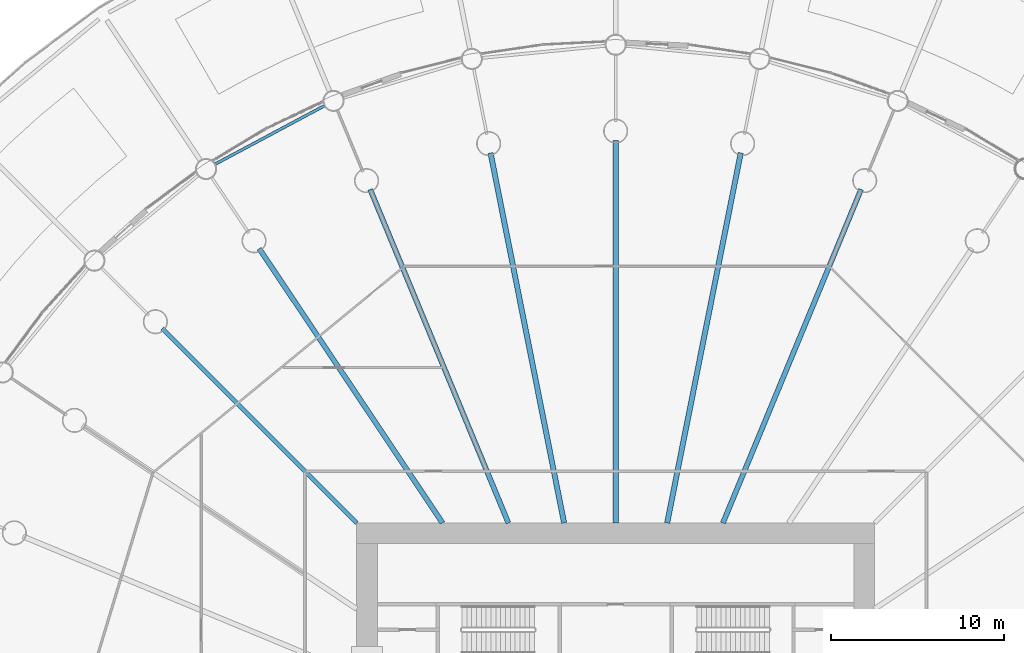
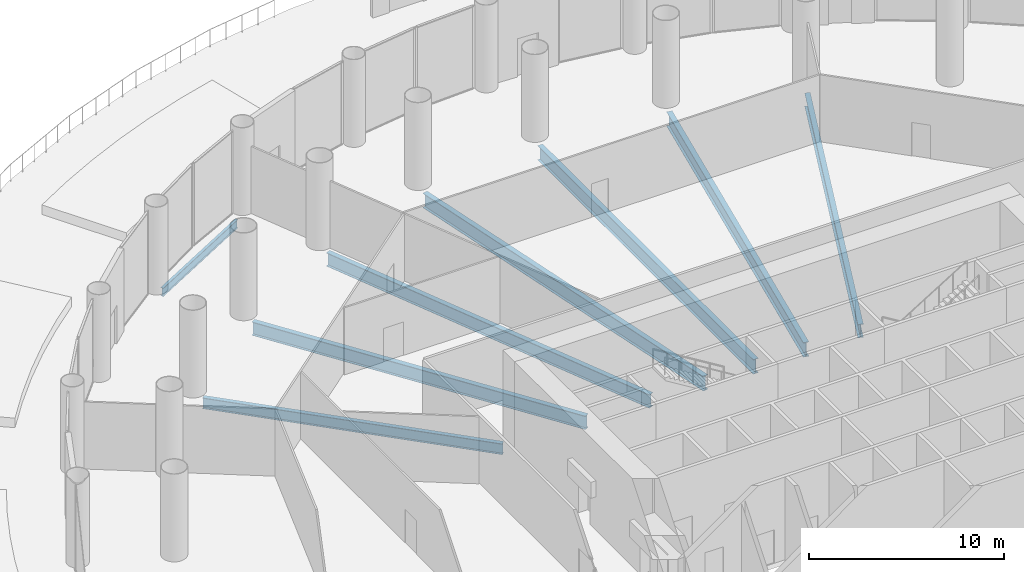
# One storey, part 20 of 36: 8 beams.
"""IFC4 building model written with IfcOpenShell, lengths in metres."""

from ifc_helpers import new_model, si_unit, direction, frame, origin, origin_2d, place, context, subcontext, project, spatial, i_section, extrude, material, material_profile, profile_set, type_object, element, save


model = new_model("IFC4")

# Units and contexts
model_context = context("Model", 3, precision=1e-05, world=origin(), true_north=direction((0.0, 1.0)))
body_context = subcontext(model_context, "Body", "Model", "MODEL_VIEW")
ifc_project = project(units=[si_unit("LENGTHUNIT", "METRE"), si_unit("AREAUNIT", "SQUARE_METRE"), si_unit("VOLUMEUNIT", "CUBIC_METRE"), si_unit("PLANEANGLEUNIT", "RADIAN"), si_unit("MASSUNIT", "GRAM", prefix="KILO")], contexts=[model_context])

# Site, building, storey
site_placement = place(None, origin())
site = spatial("IfcSite", under=ifc_project, at=site_placement, CompositionType="ELEMENT")
building_placement = place(site_placement, origin())
building = spatial("IfcBuilding", under=site, at=building_placement, Name="Corvane Civic Tower", CompositionType="ELEMENT")
storey_placement = place(building_placement, frame((0.0, 0.0, 6.0)))
storey = spatial("IfcBuildingStorey", under=building, at=storey_placement, Name="L01", CompositionType="ELEMENT", Elevation=6.0)

# Beams
ifc_material_1 = material(Name="Steel ASTM A992 Gr 50", Category="steel")
ifc_material_profile_1 = material_profile(ifc_material_1, i_section(OverallWidth=0.165771484375, OverallDepth=0.5283203125, WebThickness=0.009765625, FlangeThickness=0.013671875, at=origin_2d()), Name="W21X50")
ifc_profile_set_1 = profile_set([ifc_material_profile_1], Name="Steel ASTM A992 Gr 50")
beam_type_1 = type_object("IfcBeamType", Name="EDGE BEAM W21X50", PredefinedType="BEAM", material=ifc_profile_set_1)
beam_1_placement = place(storey_placement, frame((-23.23779296875, 35.762939453125, -0.564208984375), z_axis=(0.881912894916, 0.471412394598, 0.0), x_axis=(-0.471412394598, 0.881912894916, 0.0)))
element("IfcBeam", 1, at=beam_1_placement, inside=storey, type_object=beam_type_1, Name="BM-L01-E30", PredefinedType="BEAM", context=body_context, shape_type="SweptSolid", body=[
    extrude(i_section(OverallWidth=0.165771484375, OverallDepth=0.5283203125, WebThickness=0.009765625, FlangeThickness=0.013671875, at=origin_2d()), origin(), (0.0, 0.0, 1.0), 7.270751953125),
])
ifc_material_2 = material(Name="Steel ASTM A992 Gr 50", Category="steel")
ifc_material_profile_2 = material_profile(ifc_material_2, i_section(OverallWidth=0.25390625, OverallDepth=0.67822265625, WebThickness=0.01171875, FlangeThickness=0.016357421875, at=origin_2d()), Name="W27X84")
ifc_profile_set_2 = profile_set([ifc_material_profile_2], Name="Steel ASTM A992 Gr 50")
beam_type_2 = type_object("IfcBeamType", Name="FLOOR GIRDER W27X84", PredefinedType="BEAM", material=ifc_profile_set_2)
beam_2_placement = place(storey_placement, frame((-15.0, 15.0, -0.63916015625), z_axis=(-0.707106781187, 0.707106781187, 0.0), x_axis=(-0.707106781187, -0.707106781187, 0.0)))
element("IfcBeam", 2, at=beam_2_placement, inside=storey, type_object=beam_type_2, Name="BM-L01-G29", PredefinedType="BEAM", context=body_context, shape_type="SweptSolid", body=[
    extrude(i_section(OverallWidth=0.25390625, OverallDepth=0.67822265625, WebThickness=0.01171875, FlangeThickness=0.016357421875, at=origin_2d()), origin(), (0.0, 0.0, 1.0), 15.936767578125),
])
ifc_material_3 = material(Name="Steel ASTM A992 Gr 50", Category="steel")
ifc_material_profile_3 = material_profile(ifc_material_3, i_section(OverallWidth=0.2919921875, OverallDepth=0.845703125, WebThickness=0.015380859375, FlangeThickness=0.0244140625, at=origin_2d()), Name="W33X141")
ifc_profile_set_3 = profile_set([ifc_material_profile_3], Name="Steel ASTM A992 Gr 50")
beam_type_3 = type_object("IfcBeamType", Name="FLOOR GIRDER W33X141", PredefinedType="BEAM", material=ifc_profile_set_3)
beam_3_placement = place(storey_placement, frame((6.213134765625, 15.0, -0.722900390625), z_axis=(0.382692360381, 0.923875834355, 0.0), x_axis=(-0.923875834355, 0.382692360381, 0.0)))
element("IfcBeam", 3, at=beam_3_placement, inside=storey, type_object=beam_type_3, Name="BM-L01-G03", PredefinedType="BEAM", context=body_context, shape_type="SweptSolid", body=[
    extrude(i_section(OverallWidth=0.2919921875, OverallDepth=0.845703125, WebThickness=0.015380859375, FlangeThickness=0.0244140625, at=origin_2d()), origin(), (0.0, 0.0, 1.0), 20.9140625),
])
beam_4_placement = place(storey_placement, frame((-10.022705078125, 15.0, -0.722900390625), z_axis=(-0.555566681385, 0.831471985418, 0.0), x_axis=(-0.831471985418, -0.555566681385, 0.0)))
element("IfcBeam", 4, at=beam_4_placement, inside=storey, type_object=beam_type_3, Name="BM-L01-G30", PredefinedType="BEAM", context=body_context, shape_type="SweptSolid", body=[
    extrude(i_section(OverallWidth=0.2919921875, OverallDepth=0.845703125, WebThickness=0.015380859375, FlangeThickness=0.0244140625, at=origin_2d()), origin(), (0.0, 0.0, 1.0), 19.109619140625),
])
beam_5_placement = place(storey_placement, frame((-6.213134765625, 15.0, -0.722900390625), z_axis=(-0.382692360381, 0.923875834355, 0.0), x_axis=(-0.923875834355, -0.382692360381, 0.0)))
element("IfcBeam", 5, at=beam_5_placement, inside=storey, type_object=beam_type_3, Name="BM-L01-G31", PredefinedType="BEAM", context=body_context, shape_type="SweptSolid", body=[
    extrude(i_section(OverallWidth=0.2919921875, OverallDepth=0.845703125, WebThickness=0.015380859375, FlangeThickness=0.0244140625, at=origin_2d()), origin(), (0.0, 0.0, 1.0), 20.9140625),
])
ifc_material_4 = material(Name="Steel ASTM A992 Gr 50", Category="steel")
ifc_material_profile_4 = material_profile(ifc_material_4, i_section(OverallWidth=0.3046875, OverallDepth=0.911865234375, WebThickness=0.015869140625, FlangeThickness=0.02392578125, at=origin_2d()), Name="W36X150")
ifc_profile_set_4 = profile_set([ifc_material_profile_4], Name="Steel ASTM A992 Gr 50")
beam_type_4 = type_object("IfcBeamType", Name="FLOOR GIRDER W36X150", PredefinedType="BEAM", material=ifc_profile_set_4)
beam_6_placement = place(storey_placement, frame((0.0, 15.0, -0.755859375), z_axis=(0.0, 1.0, 0.0), x_axis=(-1.0, 0.0, 0.0)))
element("IfcBeam", 6, at=beam_6_placement, inside=storey, type_object=beam_type_4, Name="BM-L01-G01", PredefinedType="BEAM", context=body_context, shape_type="SweptSolid", body=[
    extrude(i_section(OverallWidth=0.3046875, OverallDepth=0.911865234375, WebThickness=0.015869140625, FlangeThickness=0.02392578125, at=origin_2d()), origin(), (0.0, 0.0, 1.0), 22.14990234375),
])
for number, where, z_axis, x_axis, name in (
    (7, (2.983642578125, 15.0, -0.755859375), (0.195089219638, 0.980785499679, 0.0), (-0.980785499679, 0.195089219638, 0.0), "BM-L01-G02"),
    (8, (-2.983642578125, 15.0, -0.755859375), (-0.195089219638, 0.980785499679, 0.0), (-0.980785499679, -0.195089219638, 0.0), "BM-L01-G32"),
):
    element("IfcBeam", number, at=place(storey_placement, frame(where, z_axis=z_axis, x_axis=x_axis)), inside=storey, type_object=beam_type_4, Name=name, PredefinedType="BEAM", context=body_context, shape_type="SweptSolid", body=[
        extrude(i_section(OverallWidth=0.3046875, OverallDepth=0.911865234375, WebThickness=0.015869140625, FlangeThickness=0.02392578125, at=origin_2d()), origin(), (0.0, 0.0, 1.0), 21.856201171875),
    ])

save(model, "model.ifc")
